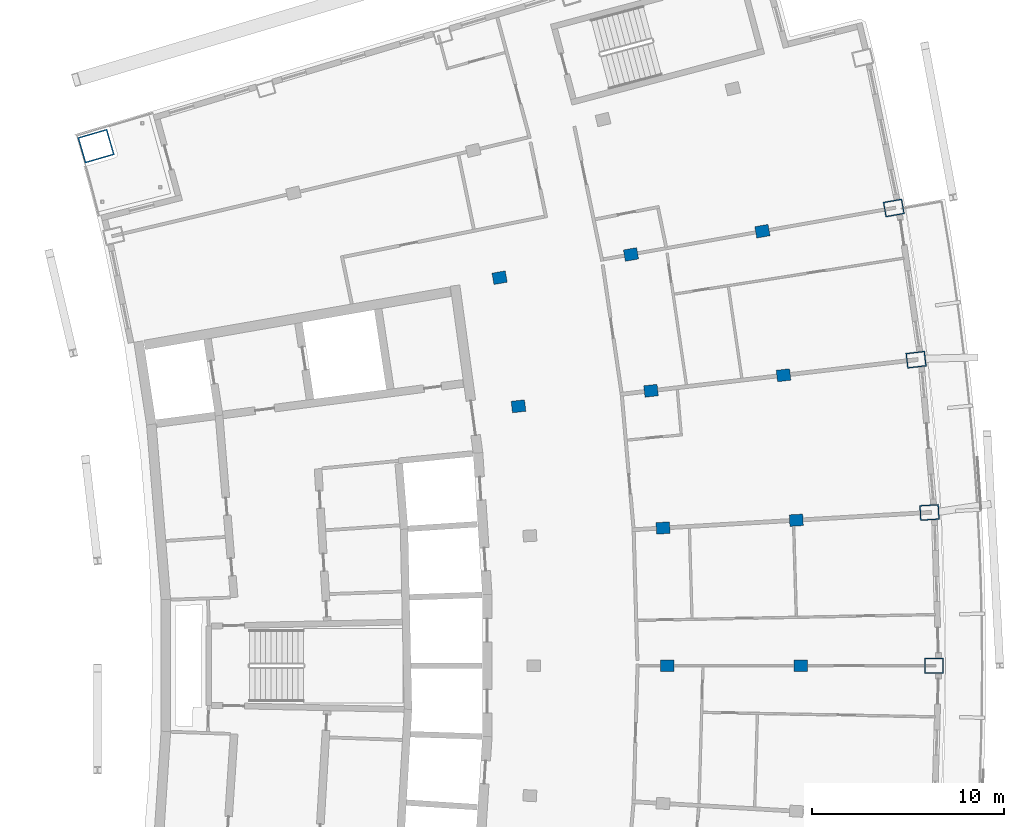
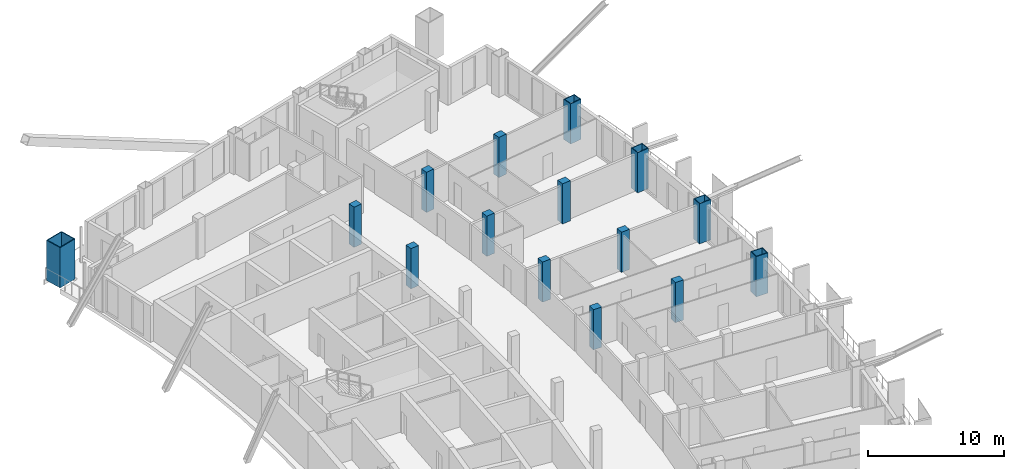
# One storey, part 4 of 17: 15 columns.
"""IFC4 building model written with IfcOpenShell, lengths in metres."""

from ifc_helpers import new_model, si_unit, direction, frame, origin, origin_2d, place, context, subcontext, project, spatial, rectangle, hollow_rectangle, extrude, material, material_profile, profile_set, type_object, element, save


model = new_model("IFC4")

# Units and contexts
model_context = context("Model", 3, precision=1e-05, world=origin(), true_north=direction((0.0, 1.0)))
body_context = subcontext(model_context, "Body", "Model", "MODEL_VIEW")
ifc_project = project(units=[si_unit("LENGTHUNIT", "METRE"), si_unit("AREAUNIT", "SQUARE_METRE"), si_unit("VOLUMEUNIT", "CUBIC_METRE"), si_unit("PLANEANGLEUNIT", "RADIAN"), si_unit("MASSUNIT", "GRAM", prefix="KILO")], contexts=[model_context])

# Site, building, storey
site_placement = place(None, origin())
site = spatial("IfcSite", under=ifc_project, at=site_placement, CompositionType="ELEMENT")
building_placement = place(site_placement, origin())
building = spatial("IfcBuilding", under=site, at=building_placement, Name="Alderwake Tower", CompositionType="ELEMENT")
storey_placement = place(building_placement, frame((0.0, 0.0, 256.39990234375)))
storey = spatial("IfcBuildingStorey", under=building, at=storey_placement, Name="L63", CompositionType="ELEMENT", Elevation=256.39990234375)

# Columns
ifc_material_1 = material(Name="Concrete C70/85", Category="concrete")
ifc_material_profile_1 = material_profile(ifc_material_1, rectangle(XDim=0.60009765625, YDim=0.699951171875, at=origin_2d()), Name="RC 700X600")
ifc_profile_set_1 = profile_set([ifc_material_profile_1], Name="Concrete C70/85")
column_type_1 = type_object("IfcColumnType", Name="Interior column Z5", PredefinedType="COLUMN", material=ifc_profile_set_1)
for number, where, z_axis, x_axis, name in (
    (1, (42.7333984375, 61.0, 0.0), (0.0, 0.0, 1.0), (0.0, 1.0, 0.0), "Column R07-C3"),
    (2, (49.666748046875, 61.0, 0.0), (0.0, 0.0, 1.0), (0.0, 1.0, 0.0), "Column R07-C4"),
    (3, (42.5244140625, 68.155517578125, 0.0), (0.0, 0.0, 1.0), (-0.058301061284, 0.998299046505, 0.0), "Column R08-C3"),
    (4, (49.446044921875, 68.5595703125, 0.0), (0.0, 0.0, 1.0), (-0.058301061284, 0.998299046505, 0.0), "Column R08-C4"),
    (5, (35.0126953125, 74.4794921875, 0.0), (0.0, 0.0, 1.0), (-0.116402054316, 0.993202175668, 0.0), "Column R09-C2"),
    (6, (41.89892578125, 75.286376953125, 0.0), (0.0, 0.0, 1.0), (-0.116402054316, 0.993202175668, 0.0), "Column R09-C3"),
    (7, (48.78515625, 76.093505859375, 0.0), (0.0, 0.0, 1.0), (-0.116402054316, 0.993202175668, 0.0), "Column R09-C4"),
    (8, (34.03125, 81.16162109375, 0.0), (0.0, 0.0, 1.0), (-0.174108800747, 0.984726421654, 0.0), "Column R10-C2"),
    (9, (40.858642578125, 82.368896484375, 0.0), (0.0, 0.0, 1.0), (-0.174108800747, 0.984726421654, 0.0), "Column R10-C3"),
    (10, (47.686279296875, 83.575927734375, 0.0), (0.0, 0.0, 1.0), (-0.174108800747, 0.984726421654, 0.0), "Column R10-C4"),
):
    element("IfcColumn", number, at=place(storey_placement, frame(where, z_axis=z_axis, x_axis=x_axis)), inside=storey, type_object=column_type_1, Name=name, PredefinedType="COLUMN", context=body_context, shape_type="SweptSolid", body=[
        extrude(rectangle(XDim=0.60009765625, YDim=0.699951171875, at=origin_2d()), origin(), (0.0, 0.0, 1.0), 3.60009765625),
    ])
ifc_material_2 = material(Name="Steel ASTM A572 Grade 50 concrete filled C70/85", Category="concrete")
ifc_material_profile_2 = material_profile(ifc_material_2, hollow_rectangle(XDim=1.39990234375, YDim=1.60009765625, WallThickness=0.070068359375, at=origin_2d()), Name="BOX 1600X1400X70")
ifc_profile_set_2 = profile_set([ifc_material_profile_2], Name="Steel ASTM A572 Grade 50 concrete filled C70/85")
column_type_2 = type_object("IfcColumnType", Name="Mega column Z5", PredefinedType="COLUMN", material=ifc_profile_set_2)
column_placement = place(storey_placement, frame((13.06298828125, 87.99755859375, 0.0), z_axis=(0.0, 0.0, 1.0), x_axis=(-0.278612301868, 0.960403657452, 0.0)))
element("IfcColumn", 11, at=column_placement, inside=storey, type_object=column_type_2, Name="Column R12-C0", PredefinedType="COLUMN", context=body_context, shape_type="SweptSolid", body=[
    extrude(hollow_rectangle(XDim=1.39990234375, YDim=1.60009765625, WallThickness=0.070068359375, at=origin_2d()), origin(), (0.0, 0.0, 1.0), 3.60009765625),
])
ifc_material_3 = material(Name="Steel ASTM A572 Grade 50 concrete filled C70/85", Category="concrete")
ifc_material_profile_3 = material_profile(ifc_material_3, hollow_rectangle(XDim=0.800048828125, YDim=1.0, WallThickness=0.054931640625, at=origin_2d()), Name="BOX 1000X800X55")
ifc_profile_set_3 = profile_set([ifc_material_profile_3], Name="Steel ASTM A572 Grade 50 concrete filled C70/85")
column_type_3 = type_object("IfcColumnType", Name="Perimeter column Z5", PredefinedType="COLUMN", material=ifc_profile_set_3)
for number, where, z_axis, x_axis, name in (
    (12, (56.60009765625, 61.0, 0.0), (0.0, 0.0, 1.0), (0.0, 1.0, 0.0), "Column R07-C5"),
    (13, (56.36767578125, 68.9638671875, 0.0), (0.0, 0.0, 1.0), (-0.058299318924, 0.998299148258, 0.0), "Column R08-C5"),
    (14, (55.67138671875, 76.900390625, 0.0), (0.0, 0.0, 1.0), (-0.116402054316, 0.993202175668, 0.0), "Column R09-C5"),
    (15, (54.513671875, 84.783203125, 0.0), (0.0, 0.0, 1.0), (-0.174108800747, 0.984726421654, 0.0), "Column R10-C5"),
):
    element("IfcColumn", number, at=place(storey_placement, frame(where, z_axis=z_axis, x_axis=x_axis)), inside=storey, type_object=column_type_3, Name=name, PredefinedType="COLUMN", context=body_context, shape_type="SweptSolid", body=[
        extrude(hollow_rectangle(XDim=0.800048828125, YDim=1.0, WallThickness=0.054931640625, at=origin_2d()), origin(), (0.0, 0.0, 1.0), 3.60009765625),
    ])

save(model, "model.ifc")
